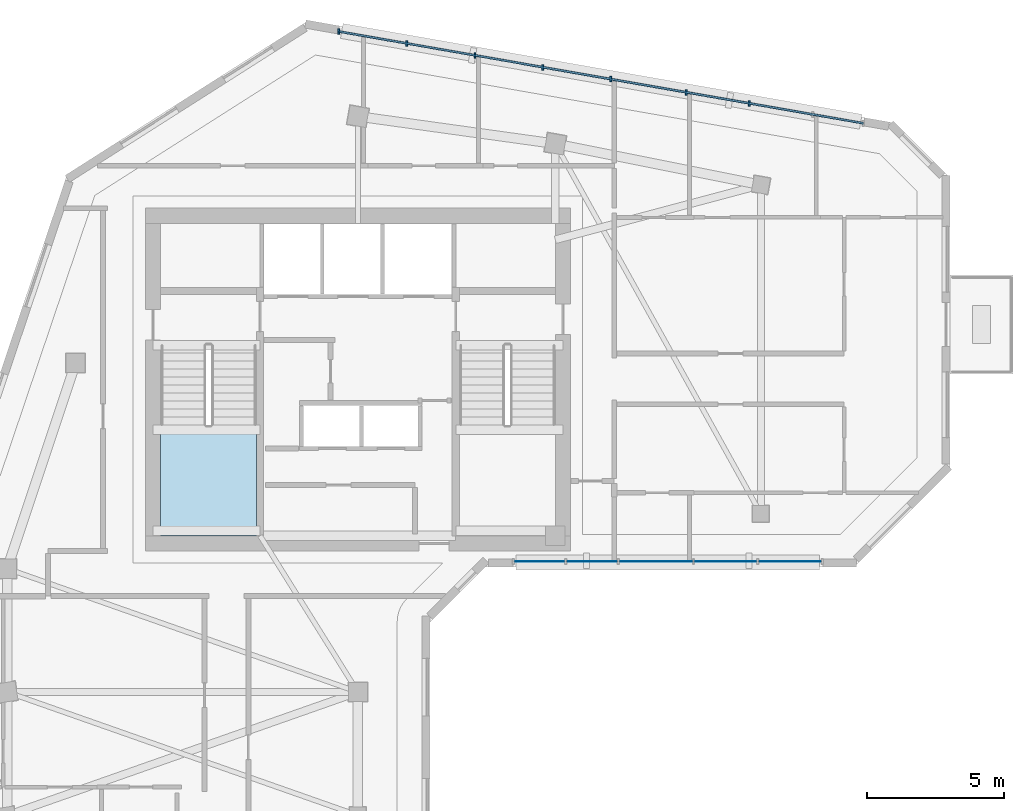
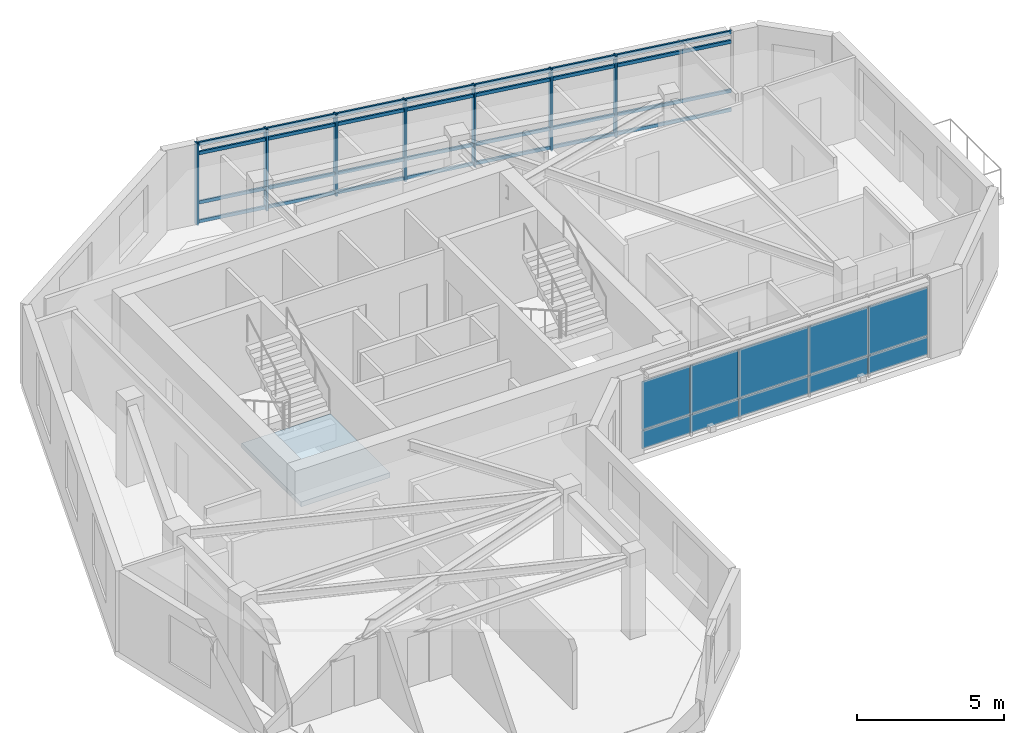
# One storey, part 2 of 9: 11 members, 10 plates, 1 slab, 3 elements without a shape of their own.
"""IFC4 building model written with IfcOpenShell, lengths in metres."""

import ifcopenshell
import ifcopenshell.guid

model = None  # the IFC model being written
_history = None  # IfcOwnerHistory: only IFC2X3 demands one
_inside = {}  # id of a spatial element -> (the spatial element, [elements in it])
_under = {}  # id of a project, library or spatial element -> (it, [spatial elements below it])
_declared = {}  # id of a project -> (the project, [libraries it declares])
_typed = {}  # id of a type object -> (the type object, [elements of that type])
_made_of = {}  # id of a material, layer set ... -> (it, [elements and type objects made of it])


def new_model(schema):
    """Start an empty IFC model of exactly this schema.

    Asked for "IFC4X3", IfcOpenShell would pick the latest addendum, in which some entities
    have other attributes; the version numbers below select the first issue.
    IFC2X3 requires an IfcOwnerHistory on every rooted entity: one is made here for all.
    """
    global model, _history
    if schema == "IFC4X3":
        model = ifcopenshell.file(schema_version=(4, 3, 0, 0))
    else:
        model = ifcopenshell.file(schema=schema)
    _inside.clear()
    _under.clear()
    _declared.clear()
    _typed.clear()
    _made_of.clear()
    _history = None
    if model.schema == "IFC2X3":
        org = make("IfcOrganization", Name="unknown")
        user = make(
            "IfcPersonAndOrganization",
            ThePerson=make("IfcPerson", FamilyName="unknown"),
            TheOrganization=org,
        )
        app = make(
            "IfcApplication",
            ApplicationDeveloper=org,
            Version="unknown",
            ApplicationFullName="unknown",
            ApplicationIdentifier="unknown",
        )
        _history = make(
            "IfcOwnerHistory",
            OwningUser=user,
            OwningApplication=app,
            ChangeAction="ADDED",
            CreationDate=0,
        )
    return model


def make(cls, **values):
    """One entity of the class cls with the attributes given. An attribute that is None is left unset."""
    return model.create_entity(
        cls, **{name: value for name, value in values.items() if value is not None}
    )


def rooted(cls, **values):
    """An entity with a GlobalId (a new one), such as an element, a storey or a relation."""
    return make(cls, GlobalId=ifcopenshell.guid.new(), OwnerHistory=_history, **values)


def si_unit(unit_type, name, prefix=None):
    """IfcSIUnit, for example si_unit("LENGTHUNIT", "METRE", prefix="MILLI")."""
    return make("IfcSIUnit", UnitType=unit_type, Prefix=prefix, Name=name)


def assignment(units):
    """IfcUnitAssignment: the units of a project."""
    return None if units is None else make("IfcUnitAssignment", Units=units)


def point(xyz):
    """IfcCartesianPoint."""
    return None if xyz is None else make("IfcCartesianPoint", Coordinates=xyz)


def direction(xyz):
    """IfcDirection."""
    return None if xyz is None else make("IfcDirection", DirectionRatios=xyz)


def frame(location, z_axis=None, x_axis=None):
    """IfcAxis2Placement3D, a coordinate frame: its origin and axes. An axis left out is left unset."""
    return make(
        "IfcAxis2Placement3D",
        Location=point(location),
        Axis=direction(z_axis),
        RefDirection=direction(x_axis),
    )


def frame_2d(location, x_axis=None):
    """IfcAxis2Placement2D, a coordinate frame in the plane: its origin and x axis."""
    return make(
        "IfcAxis2Placement2D", Location=point(location), RefDirection=direction(x_axis)
    )


def origin():
    """The frame at (0, 0, 0) with its axes left unset."""
    return frame((0.0, 0.0, 0.0))


def origin_2d():
    """The frame at (0, 0) in the plane with its x axis left unset."""
    return frame_2d((0.0, 0.0))


def place(relative_to, where):
    """IfcLocalPlacement: puts the frame where relative to a parent placement (None: the world)."""
    return make(
        "IfcLocalPlacement", PlacementRelTo=relative_to, RelativePlacement=where
    )


def context(
    kind, dimensions, precision=None, world=None, true_north=None, identifier=None
):
    """IfcGeometricRepresentationContext, for example the 3D "Model" context."""
    return make(
        "IfcGeometricRepresentationContext",
        ContextIdentifier=identifier,
        ContextType=kind,
        CoordinateSpaceDimension=dimensions,
        Precision=precision,
        WorldCoordinateSystem=world,
        TrueNorth=true_north,
    )


def subcontext(parent, identifier, kind, view, scale=None):
    """IfcGeometricRepresentationSubContext, for example "Body" below "Model"."""
    return make(
        "IfcGeometricRepresentationSubContext",
        ContextIdentifier=identifier,
        ContextType=kind,
        ParentContext=parent,
        TargetScale=scale,
        TargetView=view,
    )


def project(units=None, contexts=None):
    """IfcProject with its units and contexts."""
    return rooted(
        "IfcProject",
        Name="project",
        RepresentationContexts=contexts,
        UnitsInContext=assignment(units),
    )


def spatial(cls, under=None, at=None, **own):
    """A site, building, storey or space (cls), placed at a placement, below another one or the project."""
    s = rooted(cls, ObjectPlacement=at, **own)
    if under is not None:
        _under.setdefault(under.id(), (under, []))[1].append(s)
    return s


def polyline(points):
    """IfcPolyline through the points."""
    return make("IfcPolyline", Points=[point(p) for p in points])


def profile(cls, at=None, kind="AREA", **sizes):
    """A parametric profile (cls). Its sizes go by their IFC names, for example OverallWidth=200.0."""
    return make(cls, ProfileType=kind, Position=at, **sizes)


def rectangle(**sizes):
    """IfcRectangleProfileDef."""
    return profile("IfcRectangleProfileDef", **sizes)


def outline(outer, holes=None, kind="AREA"):
    """IfcArbitraryClosedProfileDef: a profile drawn as a closed curve; with holes, ...WithVoids."""
    if holes is None:
        return make("IfcArbitraryClosedProfileDef", ProfileType=kind, OuterCurve=outer)
    return make(
        "IfcArbitraryProfileDefWithVoids",
        ProfileType=kind,
        OuterCurve=outer,
        InnerCurves=holes,
    )


def extrude(swept, where, along, depth):
    """IfcExtrudedAreaSolid: the profile swept, set in the frame where, extruded along a direction by depth."""
    return make(
        "IfcExtrudedAreaSolid",
        SweptArea=swept,
        Position=where,
        ExtrudedDirection=direction(along),
        Depth=depth,
    )


def shape(context_of_items, identifier, shape_type, items):
    """IfcShapeRepresentation: the items that make up one representation, for example the "Body"."""
    return make(
        "IfcShapeRepresentation",
        ContextOfItems=context_of_items,
        RepresentationIdentifier=identifier,
        RepresentationType=shape_type,
        Items=items,
    )


def source(mapping_origin, context_of_items, identifier, shape_type, items):
    """IfcRepresentationMap: a shape defined once, which mapped items show again and again."""
    return make(
        "IfcRepresentationMap",
        MappingOrigin=mapping_origin,
        MappedRepresentation=shape(context_of_items, identifier, shape_type, items),
    )


def transform(
    local_origin,
    x_axis=None,
    y_axis=None,
    z_axis=None,
    scale=None,
    scale2=None,
    scale3=None,
    uniform=True,
):
    """IfcCartesianTransformationOperator3D, or its non-uniform kind. x_axis, y_axis, z_axis: its Axis1, 2, 3."""
    if uniform:
        return make(
            "IfcCartesianTransformationOperator3D",
            Axis1=direction(x_axis),
            Axis2=direction(y_axis),
            LocalOrigin=point(local_origin),
            Scale=scale,
            Axis3=direction(z_axis),
        )
    return make(
        "IfcCartesianTransformationOperator3DnonUniform",
        Axis1=direction(x_axis),
        Axis2=direction(y_axis),
        LocalOrigin=point(local_origin),
        Scale=scale,
        Axis3=direction(z_axis),
        Scale2=scale2,
        Scale3=scale3,
    )


def mapped(mapping_source, mapping_target):
    """IfcMappedItem: shows the shape of a source again, moved by a transform."""
    return make(
        "IfcMappedItem", MappingSource=mapping_source, MappingTarget=mapping_target
    )


def material(Name=None, Category=None):
    """IfcMaterial."""
    return make("IfcMaterial", Name=Name, Category=Category)


def layer(
    of_material, thickness, ventilated=None, Name=None, Category=None, Priority=None
):
    """IfcMaterialLayer: one layer of a wall or slab, of a material (None: an air gap)."""
    return make(
        "IfcMaterialLayer",
        Material=of_material,
        LayerThickness=thickness,
        IsVentilated=ventilated,
        Name=Name,
        Category=Category,
        Priority=Priority,
    )


def layer_set(layers, Name=None):
    """IfcMaterialLayerSet."""
    return make("IfcMaterialLayerSet", MaterialLayers=layers, LayerSetName=Name)


def material_profile(
    of_material, cross_section, Name=None, Category=None, Priority=None
):
    """IfcMaterialProfile: a cross section and its material."""
    return make(
        "IfcMaterialProfile",
        Name=Name,
        Material=of_material,
        Profile=cross_section,
        Priority=Priority,
        Category=Category,
    )


def profile_set(profiles, Name=None, composite=None):
    """IfcMaterialProfileSet."""
    return make(
        "IfcMaterialProfileSet",
        Name=Name,
        MaterialProfiles=profiles,
        CompositeProfile=composite,
    )


def made_of(thing, what):
    """Note that an element or type object is made of a material, layer set ...; save() writes the relation."""
    if what is not None:
        _made_of.setdefault(what.id(), (what, []))[1].append(thing)
    return thing


def type_object(cls, material=None, **own):
    """A type object (cls), such as IfcWallType, which elements share."""
    return made_of(rooted(cls, **own), material)


def element(
    cls,
    number,
    at=None,
    inside=None,
    cuts=None,
    type_object=None,
    material=None,
    context=None,
    identifier="Body",
    shape_type=None,
    held_by="IfcProductDefinitionShape",
    body=None,
    shapes=None,
    **own,
):
    """One element of the class cls, such as IfcWall. Its Tag is "e" and its number.

    at: its placement. inside: the storey or other place that contains it. cuts: it is an
    opening in that element (IfcRelVoidsElement). A single representation is given by context,
    identifier, shape_type and body (its items); several are given by shapes. held_by: the class
    of the entity that holds the representations. save() writes the other relations.
    """
    e = rooted(cls, Tag="e%d" % number, ObjectPlacement=at, **own)
    if body is not None:
        shapes = [shape(context, identifier, shape_type, body)]
    if shapes is not None:
        e.Representation = make(held_by, Representations=shapes)
    if inside is not None:
        _inside.setdefault(inside.id(), (inside, []))[1].append(e)
    if cuts is not None:
        rooted(
            "IfcRelVoidsElement", RelatingBuildingElement=cuts, RelatedOpeningElement=e
        )
    if type_object is not None:
        _typed.setdefault(type_object.id(), (type_object, []))[1].append(e)
    return made_of(e, material)


def aggregate(whole, parts):
    """IfcRelAggregates: a whole, such as a stair, and the parts it consists of."""
    return rooted("IfcRelAggregates", RelatingObject=whole, RelatedObjects=parts)


def save(model, path):
    """Write the relations noted so far, then the file.

    IfcRelAggregates (storeys below a building ...), IfcRelContainedInSpatialStructure (elements
    in a storey), IfcRelDefinesByType, IfcRelAssociatesMaterial and IfcRelDeclares: one each for
    every whole, place, type object, material and project.
    """
    for whole, parts in _under.values():
        aggregate(whole, parts)
    for where, things in _inside.values():
        rooted(
            "IfcRelContainedInSpatialStructure",
            RelatedElements=things,
            RelatingStructure=where,
        )
    for kind, things in _typed.values():
        rooted("IfcRelDefinesByType", RelatedObjects=things, RelatingType=kind)
    for what, things in _made_of.values():
        rooted("IfcRelAssociatesMaterial", RelatedObjects=things, RelatingMaterial=what)
    for by, libraries in _declared.values():
        rooted("IfcRelDeclares", RelatingContext=by, RelatedDefinitions=libraries)
    model.write(path)


model = new_model("IFC4")

# Units and contexts
model_context = context("Model", 3, precision=1e-05, world=origin(), true_north=direction((0.0, 1.0)))
body_context = subcontext(model_context, "Body", "Model", "MODEL_VIEW")
ifc_project = project(units=[si_unit("LENGTHUNIT", "METRE"), si_unit("AREAUNIT", "SQUARE_METRE"), si_unit("VOLUMEUNIT", "CUBIC_METRE"), si_unit("PLANEANGLEUNIT", "RADIAN"), si_unit("MASSUNIT", "GRAM", prefix="KILO")], contexts=[model_context])

# Site, building, storey
site_placement = place(None, origin())
site = spatial("IfcSite", under=ifc_project, at=site_placement, CompositionType="ELEMENT")
building_placement = place(site_placement, origin())
building = spatial("IfcBuilding", under=site, at=building_placement, Name="Calvemar Wedge Station Tower", CompositionType="ELEMENT")
storey_placement = place(building_placement, frame((0.0, 0.0, 260.10009765625)))
storey = spatial("IfcBuildingStorey", under=building, at=storey_placement, Name="L66", CompositionType="ELEMENT", Elevation=260.10009765625)

# Curtain wall, members
ifc_material_1 = material(Name="Anodised aluminium 6063-T6", Category="aluminium")
curtain_wall_type = type_object("IfcCurtainWallType", Name="CW4", PredefinedType="NOTDEFINED", material=ifc_material_1)
curtain_wall_1_placement = place(storey_placement, origin())
curtain_wall_1 = element("IfcCurtainWall", 1, at=curtain_wall_1_placement, inside=storey, type_object=curtain_wall_type, Name="Storey L66 CW4 Recessed Unitised Curtain Wall 10", PredefinedType="NOTDEFINED")
ifc_material_profile_1 = material_profile(ifc_material_1, rectangle(XDim=0.070068359375, YDim=0.199951171875, at=origin_2d()), Name="AL-MUL-70x200")
ifc_profile_set_1 = profile_set([ifc_material_profile_1], Name="Anodised aluminium 6063-T6")
member_type_1 = type_object("IfcMemberType", Name="CW4-MUL", PredefinedType="MULLION", material=ifc_profile_set_1)
shared_shape_1 = source(origin(), body_context, "Body", "SweptSolid", [
    extrude(rectangle(XDim=0.070068359375, YDim=0.199951171875, at=origin_2d()), origin(), (0.0, 0.0, 1.0), 3.39990234375),
])
member_1_placement = place(storey_placement, frame((38.080078125, 49.9736328125, -0.050048828125), z_axis=(0.0, 0.0, 1.0), x_axis=(1.0, 0.0, 0.0)))
member_1 = element("IfcMember", 2, at=member_1_placement, type_object=member_type_1, Name="CW4 mullion 3", PredefinedType="MULLION", context=body_context, shape_type="MappedRepresentation", body=[
    mapped(shared_shape_1, transform((0.0, 0.0, 0.0), scale=1.0)),
])
member_2_placement = place(storey_placement, frame((35.771484375, 50.37744140625, -0.050048828125), z_axis=(0.0, 0.0, 1.0), x_axis=(1.0, 0.0, 0.0)))
member_2 = element("IfcMember", 3, at=member_2_placement, type_object=member_type_1, Name="CW4 mullion 4", PredefinedType="MULLION", context=body_context, shape_type="MappedRepresentation", body=[
    mapped(shared_shape_1, transform((0.0, 0.0, 0.0), scale=1.0)),
])
member_3_placement = place(storey_placement, frame((33.021484375, 50.8583984375, -0.050048828125), z_axis=(0.0, 0.0, 1.0), x_axis=(1.0, 0.0, 0.0)))
member_3 = element("IfcMember", 4, at=member_3_placement, type_object=member_type_1, Name="CW4 mullion 5", PredefinedType="MULLION", context=body_context, shape_type="MappedRepresentation", body=[
    mapped(shared_shape_1, transform((0.0, 0.0, 0.0), scale=1.0)),
])
member_4_placement = place(storey_placement, frame((30.546630859375, 51.29150390625, -0.050048828125), z_axis=(0.0, 0.0, 1.0), x_axis=(1.0, 0.0, 0.0)))
member_4 = element("IfcMember", 5, at=member_4_placement, type_object=member_type_1, Name="CW4 mullion 6", PredefinedType="MULLION", context=body_context, shape_type="MappedRepresentation", body=[
    mapped(shared_shape_1, transform((0.0, 0.0, 0.0), scale=1.0)),
])
member_5_placement = place(storey_placement, frame((28.071533203125, 51.724609375, -0.050048828125), z_axis=(0.0, 0.0, 1.0), x_axis=(1.0, 0.0, 0.0)))
member_5 = element("IfcMember", 6, at=member_5_placement, type_object=member_type_1, Name="CW4 mullion 7", PredefinedType="MULLION", context=body_context, shape_type="MappedRepresentation", body=[
    mapped(shared_shape_1, transform((0.0, 0.0, 0.0), scale=1.0)),
])
member_6_placement = place(storey_placement, frame((25.588134765625, 52.158935546875, -0.050048828125), z_axis=(0.0, 0.0, 1.0), x_axis=(1.0, 0.0, 0.0)))
member_6 = element("IfcMember", 7, at=member_6_placement, type_object=member_type_1, Name="CW4 mullion 8", PredefinedType="MULLION", context=body_context, shape_type="MappedRepresentation", body=[
    mapped(shared_shape_1, transform((0.0, 0.0, 0.0), scale=1.0)),
])
member_7_placement = place(storey_placement, frame((23.104736328125, 52.593505859375, -0.050048828125), z_axis=(0.0, 0.0, 1.0), x_axis=(1.0, 0.0, 0.0)))
member_7 = element("IfcMember", 8, at=member_7_placement, type_object=member_type_1, Name="CW4 mullion 9", PredefinedType="MULLION", context=body_context, shape_type="MappedRepresentation", body=[
    mapped(shared_shape_1, transform((0.0, 0.0, 0.0), scale=1.0)),
])
ifc_material_profile_2 = material_profile(ifc_material_1, rectangle(XDim=0.070068359375, YDim=0.139892578125, at=origin_2d()), Name="AL-TRN-70x140")
ifc_profile_set_2 = profile_set([ifc_material_profile_2], Name="Anodised aluminium 6063-T6")
member_type_2 = type_object("IfcMemberType", Name="CW4-TRN", PredefinedType="USERDEFINED", material=ifc_profile_set_2)
shared_shape_2 = source(origin(), body_context, "Body", "SweptSolid", [
    extrude(rectangle(XDim=0.070068359375, YDim=0.139892578125, at=origin_2d()), origin(), (0.0, 0.0, 1.0), 19.41943359375),
])
member_8_placement = place(storey_placement, frame((42.233642578125, 49.246826171875, 0.059814453125), z_axis=(-0.985038151159, 0.172336417399, 0.0), x_axis=(-0.172336417399, -0.985038151159, 0.0)))
member_8 = element("IfcMember", 9, at=member_8_placement, type_object=member_type_2, Name="CW4 transom 1", ObjectType="TRANSOM", PredefinedType="USERDEFINED", context=body_context, shape_type="MappedRepresentation", body=[
    mapped(shared_shape_2, transform((0.0, 0.0, 0.0), scale=1.0)),
])
member_9_placement = place(storey_placement, frame((42.233642578125, 49.246826171875, 0.849853515625), z_axis=(-0.985038151159, 0.172336417399, 0.0), x_axis=(-0.172336417399, -0.985038151159, 0.0)))
member_9 = element("IfcMember", 10, at=member_9_placement, type_object=member_type_2, Name="CW4 transom 2", ObjectType="TRANSOM", PredefinedType="USERDEFINED", context=body_context, shape_type="MappedRepresentation", body=[
    mapped(shared_shape_2, transform((0.0, 0.0, 0.0), scale=1.0)),
])
member_10_placement = place(storey_placement, frame((42.233642578125, 49.246826171875, 2.89990234375), z_axis=(-0.985038151159, 0.172336417399, 0.0), x_axis=(-0.172336417399, -0.985038151159, 0.0)))
member_10 = element("IfcMember", 11, at=member_10_placement, type_object=member_type_2, Name="CW4 transom 3", ObjectType="TRANSOM", PredefinedType="USERDEFINED", context=body_context, shape_type="MappedRepresentation", body=[
    mapped(shared_shape_2, transform((0.0, 0.0, 0.0), scale=1.0)),
])
member_11_placement = place(storey_placement, frame((42.233642578125, 49.246826171875, 3.289794921875), z_axis=(-0.985038151159, 0.172336417399, 0.0), x_axis=(-0.172336417399, -0.985038151159, 0.0)))
member_11 = element("IfcMember", 12, at=member_11_placement, type_object=member_type_2, Name="CW4 transom 4", ObjectType="TRANSOM", PredefinedType="USERDEFINED", context=body_context, shape_type="MappedRepresentation", body=[
    mapped(shared_shape_2, transform((0.0, 0.0, 0.0), scale=1.0)),
])
aggregate(curtain_wall_1, [member_1, member_2, member_3, member_4, member_5, member_6, member_7, member_8, member_9, member_10, member_11])

# Curtain wall, plates
curtain_wall_2_placement = place(storey_placement, origin())
curtain_wall_2 = element("IfcCurtainWall", 13, at=curtain_wall_2_placement, inside=storey, type_object=curtain_wall_type, Name="Storey L66 CW4 Recessed Unitised Curtain Wall 6", PredefinedType="NOTDEFINED")
ifc_material_2 = material(Name="Low-E laminated insulated glass", Category="glass")
ifc_layer_1 = layer(ifc_material_2, 0.028076171875)
ifc_layer_set_1 = layer_set([ifc_layer_1], Name="Low-E laminated insulated glass")
plate_type_1 = type_object("IfcPlateType", Name="CW4-GLZ", PredefinedType="CURTAIN_PANEL", material=ifc_layer_set_1)
plate_1_placement = place(storey_placement, frame((29.48779296875, 33.26611328125, 0.869873046875), z_axis=(0.0, 0.0, 1.0), x_axis=(1.0, 0.0, 0.0)))
plate_1 = element("IfcPlate", 14, at=plate_1_placement, type_object=plate_type_1, Name="CW4 vision glass panel 1", PredefinedType="CURTAIN_PANEL", context=body_context, shape_type="SweptSolid", body=[
    extrude(rectangle(XDim=1.874267578125, YDim=0.028076171875, at=frame_2d((0.93701171875, 0.0))), origin(), (0.0, 0.0, 1.0), 2.010009765625),
])
plate_2_placement = place(storey_placement, frame((31.39794921875, 33.26611328125, 0.869873046875), z_axis=(0.0, 0.0, 1.0), x_axis=(1.0, 0.0, 0.0)))
plate_2 = element("IfcPlate", 15, at=plate_2_placement, type_object=plate_type_1, Name="CW4 vision glass panel 2", PredefinedType="CURTAIN_PANEL", context=body_context, shape_type="SweptSolid", body=[
    extrude(rectangle(XDim=1.8740234375, YDim=0.028076171875, at=frame_2d((0.93701171875, 0.0))), origin(), (0.0, 0.0, 1.0), 2.010009765625),
])
plate_3_placement = place(storey_placement, frame((33.30810546875, 33.26611328125, 0.869873046875), z_axis=(0.0, 0.0, 1.0), x_axis=(1.0, 0.0, 0.0)))
plate_3 = element("IfcPlate", 16, at=plate_3_placement, type_object=plate_type_1, Name="CW4 vision glass panel 3", PredefinedType="CURTAIN_PANEL", context=body_context, shape_type="SweptSolid", body=[
    extrude(rectangle(XDim=2.7138671875, YDim=0.028076171875, at=frame_2d((1.35693359375, 0.0))), origin(), (0.0, 0.0, 1.0), 2.010009765625),
])
plate_4_placement = place(storey_placement, frame((36.05810546875, 33.26611328125, 0.869873046875), z_axis=(0.0, 0.0, 1.0), x_axis=(1.0, 0.0, 0.0)))
plate_4 = element("IfcPlate", 17, at=plate_4_placement, type_object=plate_type_1, Name="CW4 vision glass panel 4", PredefinedType="CURTAIN_PANEL", context=body_context, shape_type="SweptSolid", body=[
    extrude(rectangle(XDim=2.31298828125, YDim=0.028076171875, at=frame_2d((1.156494140625, 0.0))), origin(), (0.0, 0.0, 1.0), 2.010009765625),
])
plate_5_placement = place(storey_placement, frame((38.406982421875, 33.26611328125, 0.869873046875), z_axis=(0.0, 0.0, 1.0), x_axis=(1.0, 0.0, 0.0)))
plate_5 = element("IfcPlate", 18, at=plate_5_placement, type_object=plate_type_1, Name="CW4 vision glass panel 5", PredefinedType="CURTAIN_PANEL", context=body_context, shape_type="SweptSolid", body=[
    extrude(rectangle(XDim=2.31298828125, YDim=0.028076171875, at=frame_2d((1.156494140625, 0.0))), origin(), (0.0, 0.0, 1.0), 2.010009765625),
])
ifc_material_3 = material(Name="Oxidized bronze aluminium spandrel panel 5005-H24", Category="aluminium")
ifc_layer_2 = layer(ifc_material_3, 0.0400390625)
ifc_layer_set_2 = layer_set([ifc_layer_2], Name="Oxidized bronze aluminium spandrel panel 5005-H24")
plate_type_2 = type_object("IfcPlateType", Name="CW4-SPD", PredefinedType="SHEET", material=ifc_layer_set_2)
plate_6_placement = place(storey_placement, frame((29.48779296875, 33.26611328125, 0.079833984375), z_axis=(0.0, 0.0, 1.0), x_axis=(1.0, 0.0, 0.0)))
plate_6 = element("IfcPlate", 19, at=plate_6_placement, type_object=plate_type_2, Name="CW4 bronze spandrel panel 1", PredefinedType="SHEET", context=body_context, shape_type="SweptSolid", body=[
    extrude(rectangle(XDim=1.874267578125, YDim=0.0400390625, at=frame_2d((0.93701171875, 0.0))), origin(), (0.0, 0.0, 1.0), 0.75),
])
plate_7_placement = place(storey_placement, frame((31.39794921875, 33.26611328125, 0.079833984375), z_axis=(0.0, 0.0, 1.0), x_axis=(1.0, 0.0, 0.0)))
plate_7 = element("IfcPlate", 20, at=plate_7_placement, type_object=plate_type_2, Name="CW4 bronze spandrel panel 2", PredefinedType="SHEET", context=body_context, shape_type="SweptSolid", body=[
    extrude(rectangle(XDim=1.8740234375, YDim=0.0400390625, at=frame_2d((0.93701171875, 0.0))), origin(), (0.0, 0.0, 1.0), 0.75),
])
plate_8_placement = place(storey_placement, frame((33.30810546875, 33.26611328125, 0.079833984375), z_axis=(0.0, 0.0, 1.0), x_axis=(1.0, 0.0, 0.0)))
plate_8 = element("IfcPlate", 21, at=plate_8_placement, type_object=plate_type_2, Name="CW4 bronze spandrel panel 3", PredefinedType="SHEET", context=body_context, shape_type="SweptSolid", body=[
    extrude(rectangle(XDim=2.7138671875, YDim=0.0400390625, at=frame_2d((1.35693359375, 0.0))), origin(), (0.0, 0.0, 1.0), 0.75),
])
plate_9_placement = place(storey_placement, frame((36.05810546875, 33.26611328125, 0.079833984375), z_axis=(0.0, 0.0, 1.0), x_axis=(1.0, 0.0, 0.0)))
plate_9 = element("IfcPlate", 22, at=plate_9_placement, type_object=plate_type_2, Name="CW4 bronze spandrel panel 4", PredefinedType="SHEET", context=body_context, shape_type="SweptSolid", body=[
    extrude(rectangle(XDim=2.31298828125, YDim=0.0400390625, at=frame_2d((1.156494140625, 0.0))), origin(), (0.0, 0.0, 1.0), 0.75),
])
plate_10_placement = place(storey_placement, frame((38.406982421875, 33.26611328125, 0.079833984375), z_axis=(0.0, 0.0, 1.0), x_axis=(1.0, 0.0, 0.0)))
plate_10 = element("IfcPlate", 23, at=plate_10_placement, type_object=plate_type_2, Name="CW4 bronze spandrel panel 5", PredefinedType="SHEET", context=body_context, shape_type="SweptSolid", body=[
    extrude(rectangle(XDim=2.31298828125, YDim=0.0400390625, at=frame_2d((1.156494140625, 0.0))), origin(), (0.0, 0.0, 1.0), 0.75),
])
aggregate(curtain_wall_2, [plate_6, plate_1, plate_7, plate_2, plate_8, plate_3, plate_9, plate_4, plate_10, plate_5])

# Stair, slab
ifc_material_4 = material(Name="Concrete C45", Category="concrete")
stair_type = type_object("IfcStairType", Name="ST-TYPE-3600", PredefinedType="HALF_TURN_STAIR", material=ifc_material_4)
stair_placement = place(storey_placement, origin())
stair = element("IfcStair", 24, at=stair_placement, inside=storey, type_object=stair_type, Name="L66 Pressurized Core Exit Stair ST-C1", PredefinedType="HALF_TURN_STAIR")
ifc_layer_3 = layer(ifc_material_4, 0.199951171875)
ifc_layer_set_3 = layer_set([ifc_layer_3], Name="Concrete C45")
slab_type = type_object("IfcSlabType", Name="SL-STAIR-LND-200", PredefinedType="LANDING", material=ifc_layer_set_3)
slab_placement = place(storey_placement, frame((0.0, 0.0, 1.599853515625)))
slab = element("IfcSlab", 25, at=slab_placement, type_object=slab_type, Name="ST-C1 landing 1", PredefinedType="LANDING", context=body_context, shape_type="SweptSolid", body=[
    extrude(outline(polyline([(16.60009765625, 38.25), (16.60009765625, 34.199951171875), (20.10009765625, 34.199951171875), (20.10009765625, 38.25), (16.60009765625, 38.25)])), origin(), (0.0, 0.0, 1.0), 0.199951171875),
])
aggregate(stair, [slab])

save(model, "model.ifc")
